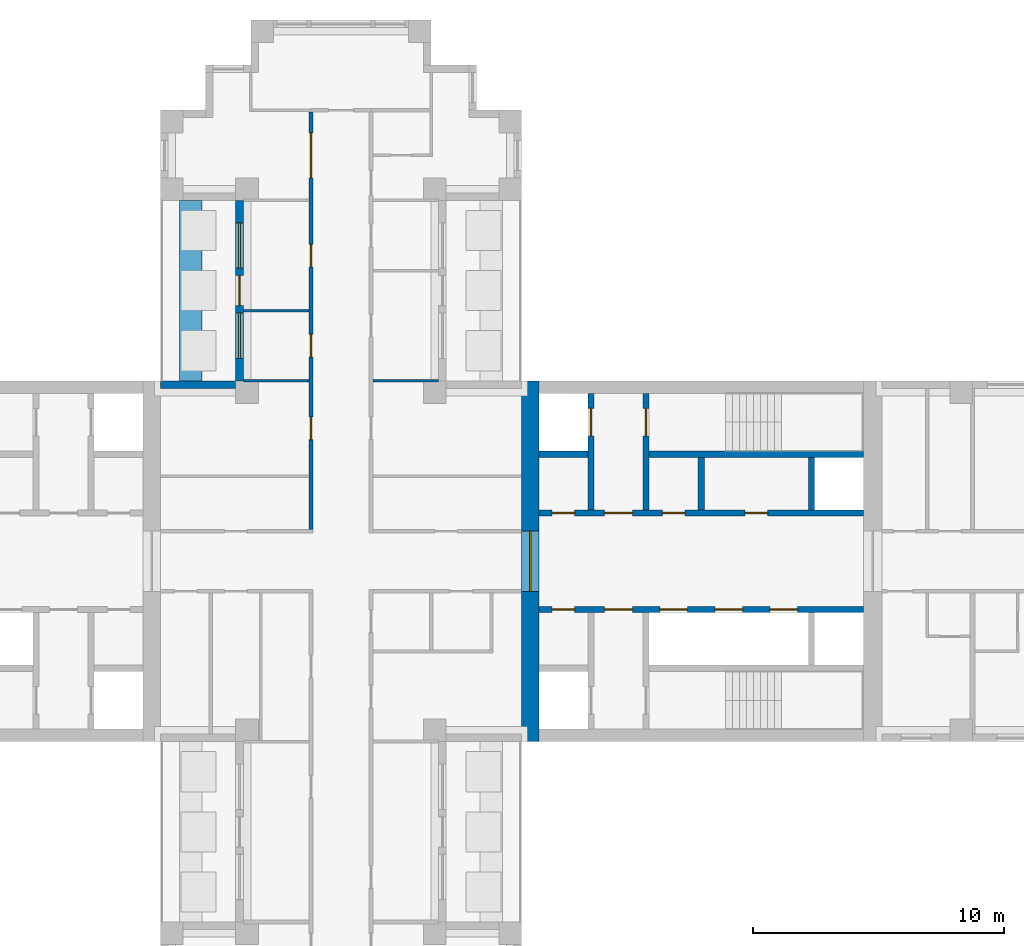
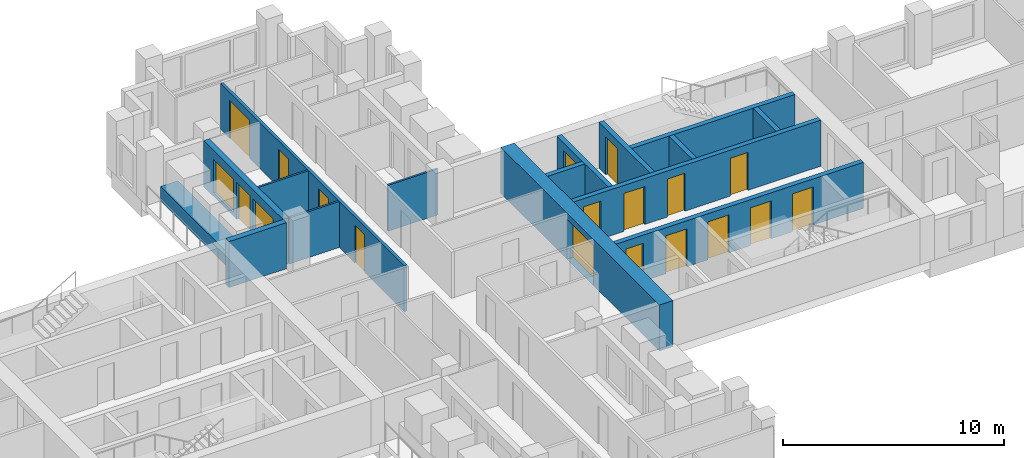
# One storey, part 8 of 13: 17 doors, 16 walls, 2 windows, 19 openings.
"""IFC4 building model written with IfcOpenShell, lengths in metres."""

from ifc_helpers import new_model, si_unit, direction, frame, frame_2d, origin, place, context, subcontext, project, spatial, rectangle, extrude, material, layer, layer_set, type_object, element, fill, save


model = new_model("IFC4")

# Units and contexts
model_context = context("Model", 3, precision=1e-05, world=origin(), true_north=direction((0.0, 1.0)))
body_context = subcontext(model_context, "Body", "Model", "MODEL_VIEW")
ifc_project = project(units=[si_unit("LENGTHUNIT", "METRE"), si_unit("AREAUNIT", "SQUARE_METRE"), si_unit("VOLUMEUNIT", "CUBIC_METRE"), si_unit("PLANEANGLEUNIT", "RADIAN"), si_unit("MASSUNIT", "GRAM", prefix="KILO")], contexts=[model_context])

# Site, building, storey
site_placement = place(None, origin())
site = spatial("IfcSite", under=ifc_project, at=site_placement, CompositionType="ELEMENT")
building_placement = place(site_placement, origin())
building = spatial("IfcBuilding", under=site, at=building_placement, Name="Fustian Cross Tower", CompositionType="ELEMENT")
storey_placement = place(building_placement, frame((0.0, 0.0, 108.89990234375)))
storey = spatial("IfcBuildingStorey", under=building, at=storey_placement, Name="L34", CompositionType="ELEMENT", Elevation=108.89990234375)

# Wall, openings, doors
ifc_material_1 = material(Name="Plasterboard on steel stud", Category="steel")
ifc_layer_1 = layer(ifc_material_1, 0.14990234375)
ifc_layer_set_1 = layer_set([ifc_layer_1], Name="Plasterboard on steel stud")
wall_type_1 = type_object("IfcWallType", Name="COMPARTMENT WALL 150 EI 60", PredefinedType="PARTITIONING", material=ifc_layer_set_1)
wall_1_placement = place(storey_placement, frame((-1.199951171875, 1.27490234375, 0.0), z_axis=(0.0, 0.0, 1.0), x_axis=(0.0, 1.0, 0.0)))
wall_1 = element("IfcWall", 1, at=wall_1_placement, inside=storey, type_object=wall_type_1, Name="Partition 41", PredefinedType="PARTITIONING", context=body_context, shape_type="SweptSolid", body=[
    extrude(rectangle(XDim=16.650146484375, YDim=0.14990234375, at=frame_2d((8.3251953125, 0.0))), origin(), (0.0, 0.0, 1.0), 2.550048828125),
])
opening_1_placement = place(wall_1_placement, frame((3.574951171875, 0.0, 0.0)))
opening_1 = element("IfcOpeningElement", 2, at=opening_1_placement, cuts=wall_1, Name="Opening D15004", PredefinedType="OPENING", context=body_context, shape_type="SweptSolid", body=[
    extrude(rectangle(XDim=0.89990234375, YDim=2.10009765625, at=frame_2d((0.449951171875, 1.050048828125))), frame((0.0, 0.0849609375, 0.0), z_axis=(0.0, -1.0, 0.0), x_axis=(1.0, 0.0, 0.0)), (0.0, 0.0, 1.0), 0.169921875),
])
opening_2_placement = place(wall_1_placement, frame((6.875, 0.0, 0.0)))
opening_2 = element("IfcOpeningElement", 3, at=opening_2_placement, cuts=wall_1, Name="Opening D15021", PredefinedType="OPENING", context=body_context, shape_type="SweptSolid", body=[
    extrude(rectangle(XDim=0.89990234375, YDim=2.10009765625, at=frame_2d((0.449951171875, 1.050048828125))), frame((0.0, 0.0849609375, 0.0), z_axis=(0.0, -1.0, 0.0), x_axis=(1.0, 0.0, 0.0)), (0.0, 0.0, 1.0), 0.169921875),
])
opening_3_placement = place(wall_1_placement, frame((10.47509765625, 0.0, 0.0)))
opening_3 = element("IfcOpeningElement", 4, at=opening_3_placement, cuts=wall_1, Name="Opening D15022", PredefinedType="OPENING", context=body_context, shape_type="SweptSolid", body=[
    extrude(rectangle(XDim=0.89990234375, YDim=2.10009765625, at=frame_2d((0.449951171875, 1.050048828125))), frame((0.0, 0.0849609375, 0.0), z_axis=(0.0, -1.0, 0.0), x_axis=(1.0, 0.0, 0.0)), (0.0, 0.0, 1.0), 0.169921875),
])
opening_4_placement = place(wall_1_placement, frame((14.02490234375, 0.0, 0.0)))
opening_4 = element("IfcOpeningElement", 5, at=opening_4_placement, cuts=wall_1, Name="Opening D15023", PredefinedType="OPENING", context=body_context, shape_type="SweptSolid", body=[
    extrude(rectangle(XDim=1.800048828125, YDim=2.10009765625, at=frame_2d((0.89990234375, 1.050048828125))), frame((0.0, 0.0849609375, 0.0), z_axis=(0.0, -1.0, 0.0), x_axis=(1.0, 0.0, 0.0)), (0.0, 0.0, 1.0), 0.169921875),
])
ifc_material_2 = material(Name="Timber fire door set", Category="wood")
door_type_1 = type_object("IfcDoorType", Name="FIRE DOUBLE DOOR 1800 FD30S", OperationType="DOUBLE_DOOR_DOUBLE_SWING", PredefinedType="DOOR", material=ifc_material_2)
door_1_placement = place(opening_4_placement, frame((1.800048828125, 0.0, 0.0), z_axis=(0.0, 0.0, 1.0), x_axis=(-1.0, 0.0, 0.0)))
door_1 = element("IfcDoor", 6, at=door_1_placement, inside=storey, type_object=door_type_1, Name="Door D15023", OperationType="DOUBLE_DOOR_DOUBLE_SWING", OverallHeight=2.10009765625, OverallWidth=1.800048828125, PredefinedType="DOOR", context=body_context, shape_type="SweptSolid", body=[
    extrude(rectangle(XDim=1.800048828125, YDim=2.10009765625, at=frame_2d((0.89990234375, 1.050048828125))), frame((0.0, 0.02490234375, 0.0), z_axis=(0.0, -1.0, 0.0), x_axis=(1.0, 0.0, 0.0)), (0.0, 0.0, 1.0), 0.050048828125),
])
fill(opening_4, door_1)
ifc_material_3 = material(Name="Timber fire door set", Category="wood")
door_type_2 = type_object("IfcDoorType", Name="FIRE SWING DOOR 900 FD30S", OperationType="SINGLE_SWING_LEFT", PredefinedType="DOOR", material=ifc_material_3)
door_2_placement = place(opening_1_placement, origin())
door_2 = element("IfcDoor", 7, at=door_2_placement, inside=storey, type_object=door_type_2, Name="Door D15004", OperationType="SINGLE_SWING_RIGHT", OverallHeight=2.10009765625, OverallWidth=0.89990234375, PredefinedType="DOOR", context=body_context, shape_type="SweptSolid", body=[
    extrude(rectangle(XDim=0.89990234375, YDim=2.10009765625, at=frame_2d((0.449951171875, 1.050048828125))), frame((0.0, 0.02490234375, 0.0), z_axis=(0.0, -1.0, 0.0), x_axis=(1.0, 0.0, 0.0)), (0.0, 0.0, 1.0), 0.050048828125),
])
fill(opening_1, door_2)
door_3_placement = place(opening_2_placement, origin())
door_3 = element("IfcDoor", 8, at=door_3_placement, inside=storey, type_object=door_type_2, Name="Door D15021", OperationType="SINGLE_SWING_LEFT", OverallHeight=2.10009765625, OverallWidth=0.89990234375, PredefinedType="DOOR", context=body_context, shape_type="SweptSolid", body=[
    extrude(rectangle(XDim=0.89990234375, YDim=2.10009765625, at=frame_2d((0.449951171875, 1.050048828125))), frame((0.0, 0.02490234375, 0.0), z_axis=(0.0, -1.0, 0.0), x_axis=(1.0, 0.0, 0.0)), (0.0, 0.0, 1.0), 0.050048828125),
])
fill(opening_2, door_3)
door_4_placement = place(opening_3_placement, origin())
door_4 = element("IfcDoor", 9, at=door_4_placement, inside=storey, type_object=door_type_2, Name="Door D15022", OperationType="SINGLE_SWING_LEFT", OverallHeight=2.10009765625, OverallWidth=0.89990234375, PredefinedType="DOOR", context=body_context, shape_type="SweptSolid", body=[
    extrude(rectangle(XDim=0.89990234375, YDim=2.10009765625, at=frame_2d((0.449951171875, 1.050048828125))), frame((0.0, 0.02490234375, 0.0), z_axis=(0.0, -1.0, 0.0), x_axis=(1.0, 0.0, 0.0)), (0.0, 0.0, 1.0), 0.050048828125),
])
fill(opening_3, door_4)

# Wall, opening, door
ifc_material_4 = material(Name="Concrete C70/85", Category="concrete")
ifc_layer_2 = layer(ifc_material_4, 0.699951171875)
ifc_layer_set_2 = layer_set([ifc_layer_2], Name="Concrete C70/85")
wall_type_2 = type_object("IfcWallType", Name="CORE END WALL 700 C70/85", PredefinedType="SHEAR", material=ifc_layer_set_2)
wall_2_placement = place(storey_placement, frame((7.550048828125, -7.199951171875, 0.0), z_axis=(0.0, 0.0, 1.0), x_axis=(0.0, 1.0, 0.0)))
wall_2 = element("IfcWall", 10, at=wall_2_placement, inside=storey, type_object=wall_type_2, Name="Core end wall", PredefinedType="SHEAR", context=body_context, shape_type="SweptSolid", body=[
    extrude(rectangle(XDim=14.39990234375, YDim=0.699951171875, at=frame_2d((7.199951171875, 0.0))), origin(), (0.0, 0.0, 1.0), 2.550048828125),
])
opening_5_placement = place(wall_2_placement, frame((6.0, 0.0, 0.0)))
opening_5 = element("IfcOpeningElement", 11, at=opening_5_placement, cuts=wall_2, Name="Opening CD-12-12", PredefinedType="OPENING", context=body_context, shape_type="SweptSolid", body=[
    extrude(rectangle(XDim=2.39990234375, YDim=2.199951171875, at=frame_2d((1.199951171875, 1.10009765625))), frame((0.0, 0.35986328125, 0.0), z_axis=(0.0, -1.0, 0.0), x_axis=(1.0, 0.0, 0.0)), (0.0, 0.0, 1.0), 0.719970703125),
])
ifc_material_5 = material(Name="Steel", Category="steel")
door_type_3 = type_object("IfcDoorType", Name="FIRE DOOR FD30S DOUBLE 2400X2200", OperationType="DOUBLE_DOOR_DOUBLE_SWING", PredefinedType="DOOR", material=ifc_material_5)
door_5_placement = place(opening_5_placement, frame((2.39990234375, 0.0, 0.0), z_axis=(0.0, 0.0, 1.0), x_axis=(-1.0, 0.0, 0.0)))
door_5 = element("IfcDoor", 12, at=door_5_placement, inside=storey, type_object=door_type_3, Name="Core door CD-12-12", OperationType="DOUBLE_DOOR_DOUBLE_SWING", OverallHeight=2.199951171875, OverallWidth=2.39990234375, PredefinedType="DOOR", context=body_context, shape_type="SweptSolid", body=[
    extrude(rectangle(XDim=2.39990234375, YDim=2.199951171875, at=frame_2d((1.199951171875, 1.10009765625))), frame((0.0, 0.02490234375, 0.0), z_axis=(0.0, -1.0, 0.0), x_axis=(1.0, 0.0, 0.0)), (0.0, 0.0, 1.0), 0.050048828125),
])
fill(opening_5, door_5)

# Wall, openings, doors
ifc_material_6 = material(Name="Concrete C50/60", Category="concrete")
ifc_layer_3 = layer(ifc_material_6, 0.25)
ifc_layer_set_3 = layer_set([ifc_layer_3], Name="Concrete C50/60")
wall_type_3 = type_object("IfcWallType", Name="CORE LOBBY WALL 250 C50/60", PredefinedType="SHEAR", material=ifc_layer_set_3)
wall_3_placement = place(storey_placement, frame((7.89990234375, 1.925048828125, 0.0), z_axis=(0.0, 0.0, 1.0), x_axis=(1.0, 0.0, 0.0)))
wall_3 = element("IfcWall", 13, at=wall_3_placement, inside=storey, type_object=wall_type_3, Name="Core lobby wall", PredefinedType="SHEAR", context=body_context, shape_type="SweptSolid", body=[
    extrude(rectangle(XDim=12.9501953125, YDim=0.25, at=frame_2d((6.47509765625, 0.0))), origin(), (0.0, 0.0, 1.0), 2.550048828125),
])
opening_6_placement = place(wall_3_placement, frame((0.52490234375, 0.0, 0.0)))
opening_6 = element("IfcOpeningElement", 14, at=opening_6_placement, cuts=wall_3, Name="Opening CD-12-08", PredefinedType="OPENING", context=body_context, shape_type="SweptSolid", body=[
    extrude(rectangle(XDim=0.89990234375, YDim=2.10009765625, at=frame_2d((0.449951171875, 1.050048828125))), frame((0.0, 0.135009765625, 0.0), z_axis=(0.0, -1.0, 0.0), x_axis=(1.0, 0.0, 0.0)), (0.0, 0.0, 1.0), 0.27001953125),
])
opening_7_placement = place(wall_3_placement, frame((2.625, 0.0, 0.0)))
opening_7 = element("IfcOpeningElement", 15, at=opening_7_placement, cuts=wall_3, Name="Opening CD-12-10", PredefinedType="OPENING", context=body_context, shape_type="SweptSolid", body=[
    extrude(rectangle(XDim=1.10009765625, YDim=2.10009765625, at=frame_2d((0.550048828125, 1.050048828125))), frame((0.0, 0.135009765625, 0.0), z_axis=(0.0, -1.0, 0.0), x_axis=(1.0, 0.0, 0.0)), (0.0, 0.0, 1.0), 0.27001953125),
])
opening_8_placement = place(wall_3_placement, frame((4.925048828125, 0.0, 0.0)))
opening_8 = element("IfcOpeningElement", 16, at=opening_8_placement, cuts=wall_3, Name="Opening CD-12-14", PredefinedType="OPENING", context=body_context, shape_type="SweptSolid", body=[
    extrude(rectangle(XDim=0.89990234375, YDim=2.10009765625, at=frame_2d((0.449951171875, 1.050048828125))), frame((0.0, 0.135009765625, 0.0), z_axis=(0.0, -1.0, 0.0), x_axis=(1.0, 0.0, 0.0)), (0.0, 0.0, 1.0), 0.27001953125),
])
opening_9_placement = place(wall_3_placement, frame((8.22509765625, 0.0, 0.0)))
opening_9 = element("IfcOpeningElement", 17, at=opening_9_placement, cuts=wall_3, Name="Opening CD-12-15", PredefinedType="OPENING", context=body_context, shape_type="SweptSolid", body=[
    extrude(rectangle(XDim=0.89990234375, YDim=2.10009765625, at=frame_2d((0.449951171875, 1.050048828125))), frame((0.0, 0.135009765625, 0.0), z_axis=(0.0, -1.0, 0.0), x_axis=(1.0, 0.0, 0.0)), (0.0, 0.0, 1.0), 0.27001953125),
])
ifc_material_7 = material(Name="Steel", Category="steel")
door_type_4 = type_object("IfcDoorType", Name="FIRE DOOR FD30S 900X2100", OperationType="SINGLE_SWING_LEFT", PredefinedType="DOOR", material=ifc_material_7)
door_6_placement = place(opening_8_placement, origin())
door_6 = element("IfcDoor", 18, at=door_6_placement, inside=storey, type_object=door_type_4, Name="Core door CD-12-14", OperationType="SINGLE_SWING_LEFT", OverallHeight=2.10009765625, OverallWidth=0.89990234375, PredefinedType="DOOR", context=body_context, shape_type="SweptSolid", body=[
    extrude(rectangle(XDim=0.89990234375, YDim=2.10009765625, at=frame_2d((0.449951171875, 1.050048828125))), frame((0.0, 0.02490234375, 0.0), z_axis=(0.0, -1.0, 0.0), x_axis=(1.0, 0.0, 0.0)), (0.0, 0.0, 1.0), 0.050048828125),
])
fill(opening_8, door_6)
door_7_placement = place(opening_9_placement, origin())
door_7 = element("IfcDoor", 19, at=door_7_placement, inside=storey, type_object=door_type_4, Name="Core door CD-12-15", OperationType="SINGLE_SWING_RIGHT", OverallHeight=2.10009765625, OverallWidth=0.89990234375, PredefinedType="DOOR", context=body_context, shape_type="SweptSolid", body=[
    extrude(rectangle(XDim=0.89990234375, YDim=2.10009765625, at=frame_2d((0.449951171875, 1.050048828125))), frame((0.0, 0.02490234375, 0.0), z_axis=(0.0, -1.0, 0.0), x_axis=(1.0, 0.0, 0.0)), (0.0, 0.0, 1.0), 0.050048828125),
])
fill(opening_9, door_7)
ifc_material_8 = material(Name="Steel", Category="steel")
door_type_5 = type_object("IfcDoorType", Name="FIRE DOOR FD60S 1100X2100", OperationType="SINGLE_SWING_LEFT", PredefinedType="DOOR", material=ifc_material_8)
door_8_placement = place(opening_7_placement, frame((1.10009765625, 0.0, 0.0), z_axis=(0.0, 0.0, 1.0), x_axis=(-1.0, 0.0, 0.0)))
door_8 = element("IfcDoor", 20, at=door_8_placement, inside=storey, type_object=door_type_5, Name="Core door CD-12-10", OperationType="SINGLE_SWING_RIGHT", OverallHeight=2.10009765625, OverallWidth=1.10009765625, PredefinedType="DOOR", context=body_context, shape_type="SweptSolid", body=[
    extrude(rectangle(XDim=1.10009765625, YDim=2.10009765625, at=frame_2d((0.550048828125, 1.050048828125))), frame((0.0, 0.02490234375, 0.0), z_axis=(0.0, -1.0, 0.0), x_axis=(1.0, 0.0, 0.0)), (0.0, 0.0, 1.0), 0.050048828125),
])
fill(opening_7, door_8)
ifc_material_9 = material(Name="Steel", Category="steel")
door_type_6 = type_object("IfcDoorType", Name="FIRE DOOR FD60S 900X2100", OperationType="SINGLE_SWING_LEFT", PredefinedType="DOOR", material=ifc_material_9)
door_9_placement = place(opening_6_placement, origin())
door_9 = element("IfcDoor", 21, at=door_9_placement, inside=storey, type_object=door_type_6, Name="Core door CD-12-08", OperationType="SINGLE_SWING_LEFT", OverallHeight=2.10009765625, OverallWidth=0.89990234375, PredefinedType="DOOR", context=body_context, shape_type="SweptSolid", body=[
    extrude(rectangle(XDim=0.89990234375, YDim=2.10009765625, at=frame_2d((0.449951171875, 1.050048828125))), frame((0.0, 0.02490234375, 0.0), z_axis=(0.0, -1.0, 0.0), x_axis=(1.0, 0.0, 0.0)), (0.0, 0.0, 1.0), 0.050048828125),
])
fill(opening_6, door_9)

wall_4_placement = place(storey_placement, frame((7.89990234375, -1.925048828125, 0.0), z_axis=(0.0, 0.0, 1.0), x_axis=(1.0, 0.0, 0.0)))
wall_4 = element("IfcWall", 22, at=wall_4_placement, inside=storey, type_object=wall_type_3, Name="Core lobby wall", PredefinedType="SHEAR", context=body_context, shape_type="SweptSolid", body=[
    extrude(rectangle(XDim=12.9501953125, YDim=0.25, at=frame_2d((6.47509765625, 0.0))), origin(), (0.0, 0.0, 1.0), 2.550048828125),
])
opening_10_placement = place(wall_4_placement, frame((4.824951171875, 0.0, 0.0)))
opening_10 = element("IfcOpeningElement", 23, at=opening_10_placement, cuts=wall_4, Name="Opening LD", PredefinedType="OPENING", context=body_context, shape_type="SweptSolid", body=[
    extrude(rectangle(XDim=1.10009765625, YDim=2.10009765625, at=frame_2d((0.550048828125, 1.050048828125))), frame((0.0, 0.135009765625, 0.0), z_axis=(0.0, -1.0, 0.0), x_axis=(1.0, 0.0, 0.0)), (0.0, 0.0, 1.0), 0.27001953125),
])
opening_11_placement = place(wall_4_placement, frame((7.02490234375, 0.0, 0.0)))
opening_11 = element("IfcOpeningElement", 24, at=opening_11_placement, cuts=wall_4, Name="Opening LD", PredefinedType="OPENING", context=body_context, shape_type="SweptSolid", body=[
    extrude(rectangle(XDim=1.10009765625, YDim=2.10009765625, at=frame_2d((0.550048828125, 1.050048828125))), frame((0.0, 0.135009765625, 0.0), z_axis=(0.0, -1.0, 0.0), x_axis=(1.0, 0.0, 0.0)), (0.0, 0.0, 1.0), 0.27001953125),
])
opening_12_placement = place(wall_4_placement, frame((9.22509765625, 0.0, 0.0)))
opening_12 = element("IfcOpeningElement", 25, at=opening_12_placement, cuts=wall_4, Name="Opening LD", PredefinedType="OPENING", context=body_context, shape_type="SweptSolid", body=[
    extrude(rectangle(XDim=1.10009765625, YDim=2.10009765625, at=frame_2d((0.550048828125, 1.050048828125))), frame((0.0, 0.135009765625, 0.0), z_axis=(0.0, -1.0, 0.0), x_axis=(1.0, 0.0, 0.0)), (0.0, 0.0, 1.0), 0.27001953125),
])
opening_13_placement = place(wall_4_placement, frame((0.52490234375, 0.0, 0.0)))
opening_13 = element("IfcOpeningElement", 26, at=opening_13_placement, cuts=wall_4, Name="Opening CD-12-09", PredefinedType="OPENING", context=body_context, shape_type="SweptSolid", body=[
    extrude(rectangle(XDim=0.89990234375, YDim=2.10009765625, at=frame_2d((0.449951171875, 1.050048828125))), frame((0.0, 0.135009765625, 0.0), z_axis=(0.0, -1.0, 0.0), x_axis=(1.0, 0.0, 0.0)), (0.0, 0.0, 1.0), 0.27001953125),
])
opening_14_placement = place(wall_4_placement, frame((2.625, 0.0, 0.0)))
opening_14 = element("IfcOpeningElement", 27, at=opening_14_placement, cuts=wall_4, Name="Opening CD-12-11", PredefinedType="OPENING", context=body_context, shape_type="SweptSolid", body=[
    extrude(rectangle(XDim=1.10009765625, YDim=2.10009765625, at=frame_2d((0.550048828125, 1.050048828125))), frame((0.0, 0.135009765625, 0.0), z_axis=(0.0, -1.0, 0.0), x_axis=(1.0, 0.0, 0.0)), (0.0, 0.0, 1.0), 0.27001953125),
])
ifc_material_10 = material(Name="Steel", Category="steel")
door_type_7 = type_object("IfcDoorType", Name="FIRE DOOR FD30S 1100X2100", OperationType="SINGLE_SWING_LEFT", PredefinedType="DOOR", material=ifc_material_10)
door_10_placement = place(opening_14_placement, frame((1.10009765625, 0.0, 0.0), z_axis=(0.0, 0.0, 1.0), x_axis=(-1.0, 0.0, 0.0)))
door_10 = element("IfcDoor", 28, at=door_10_placement, inside=storey, type_object=door_type_7, Name="Core door CD-12-11", OperationType="SINGLE_SWING_RIGHT", OverallHeight=2.10009765625, OverallWidth=1.10009765625, PredefinedType="DOOR", context=body_context, shape_type="SweptSolid", body=[
    extrude(rectangle(XDim=1.10009765625, YDim=2.10009765625, at=frame_2d((0.550048828125, 1.050048828125))), frame((0.0, 0.02490234375, 0.0), z_axis=(0.0, -1.0, 0.0), x_axis=(1.0, 0.0, 0.0)), (0.0, 0.0, 1.0), 0.050048828125),
])
fill(opening_14, door_10)
door_11_placement = place(opening_13_placement, frame((0.89990234375, 0.0, 0.0), z_axis=(0.0, 0.0, 1.0), x_axis=(-1.0, 0.0, 0.0)))
door_11 = element("IfcDoor", 29, at=door_11_placement, inside=storey, type_object=door_type_4, Name="Core door CD-12-09", OperationType="SINGLE_SWING_RIGHT", OverallHeight=2.10009765625, OverallWidth=0.89990234375, PredefinedType="DOOR", context=body_context, shape_type="SweptSolid", body=[
    extrude(rectangle(XDim=0.89990234375, YDim=2.10009765625, at=frame_2d((0.449951171875, 1.050048828125))), frame((0.0, 0.02490234375, 0.0), z_axis=(0.0, -1.0, 0.0), x_axis=(1.0, 0.0, 0.0)), (0.0, 0.0, 1.0), 0.050048828125),
])
fill(opening_13, door_11)
ifc_material_11 = material(Name="Stainless steel", Category="steel")
door_type_8 = type_object("IfcDoorType", Name="LIFT LANDING DOOR 1100X2100", OperationType="SLIDING_TO_LEFT", PredefinedType="DOOR", material=ifc_material_11)
door_12_placement = place(opening_10_placement, origin())
door_12 = element("IfcDoor", 30, at=door_12_placement, inside=storey, type_object=door_type_8, Name="Landing door LR1", OperationType="SLIDING_TO_LEFT", OverallHeight=2.10009765625, OverallWidth=1.10009765625, PredefinedType="DOOR", context=body_context, shape_type="SweptSolid", body=[
    extrude(rectangle(XDim=1.10009765625, YDim=2.10009765625, at=frame_2d((0.550048828125, 1.050048828125))), frame((0.0, 0.02490234375, 0.0), z_axis=(0.0, -1.0, 0.0), x_axis=(1.0, 0.0, 0.0)), (0.0, 0.0, 1.0), 0.050048828125),
])
fill(opening_10, door_12)
door_13_placement = place(opening_11_placement, origin())
door_13 = element("IfcDoor", 31, at=door_13_placement, inside=storey, type_object=door_type_8, Name="Landing door LR2", OperationType="SLIDING_TO_LEFT", OverallHeight=2.10009765625, OverallWidth=1.10009765625, PredefinedType="DOOR", context=body_context, shape_type="SweptSolid", body=[
    extrude(rectangle(XDim=1.10009765625, YDim=2.10009765625, at=frame_2d((0.550048828125, 1.050048828125))), frame((0.0, 0.02490234375, 0.0), z_axis=(0.0, -1.0, 0.0), x_axis=(1.0, 0.0, 0.0)), (0.0, 0.0, 1.0), 0.050048828125),
])
fill(opening_11, door_13)
door_14_placement = place(opening_12_placement, origin())
door_14 = element("IfcDoor", 32, at=door_14_placement, inside=storey, type_object=door_type_8, Name="Landing door LR3", OperationType="SLIDING_TO_LEFT", OverallHeight=2.10009765625, OverallWidth=1.10009765625, PredefinedType="DOOR", context=body_context, shape_type="SweptSolid", body=[
    extrude(rectangle(XDim=1.10009765625, YDim=2.10009765625, at=frame_2d((0.550048828125, 1.050048828125))), frame((0.0, 0.02490234375, 0.0), z_axis=(0.0, -1.0, 0.0), x_axis=(1.0, 0.0, 0.0)), (0.0, 0.0, 1.0), 0.050048828125),
])
fill(opening_12, door_14)

# Walls
ifc_material_12 = material(Name="Concrete C50/60", Category="concrete")
ifc_layer_4 = layer(ifc_material_12, 0.25)
ifc_layer_set_4 = layer_set([ifc_layer_4], Name="Concrete C50/60")
wall_type_4 = type_object("IfcWallType", Name="CORE SHAFT WALL 250 C50/60", PredefinedType="SHEAR", material=ifc_layer_set_4)
wall_5_placement = place(storey_placement, frame((7.89990234375, 4.27490234375, 0.0), z_axis=(0.0, 0.0, 1.0), x_axis=(1.0, 0.0, 0.0)))
element("IfcWall", 33, at=wall_5_placement, inside=storey, type_object=wall_type_4, Name="Core shaft wall", PredefinedType="SHEAR", context=body_context, shape_type="SweptSolid", body=[
    extrude(rectangle(XDim=1.9501953125, YDim=0.25, at=frame_2d((0.97509765625, 0.0))), origin(), (0.0, 0.0, 1.0), 2.550048828125),
])
wall_6_placement = place(storey_placement, frame((12.300048828125, 4.27490234375, 0.0), z_axis=(0.0, 0.0, 1.0), x_axis=(1.0, 0.0, 0.0)))
element("IfcWall", 34, at=wall_6_placement, inside=storey, type_object=wall_type_4, Name="Core shaft wall", PredefinedType="SHEAR", context=body_context, shape_type="SweptSolid", body=[
    extrude(rectangle(XDim=8.550048828125, YDim=0.25, at=frame_2d((4.27490234375, 0.0))), origin(), (0.0, 0.0, 1.0), 2.550048828125),
])

# Wall, opening, door
wall_7_placement = place(storey_placement, frame((9.97509765625, 2.050048828125, 0.0), z_axis=(0.0, 0.0, 1.0), x_axis=(0.0, 1.0, 0.0)))
wall_7 = element("IfcWall", 35, at=wall_7_placement, inside=storey, type_object=wall_type_4, Name="Core shaft wall", PredefinedType="SHEAR", context=body_context, shape_type="SweptSolid", body=[
    extrude(rectangle(XDim=4.64990234375, YDim=0.25, at=frame_2d((2.324951171875, 0.0))), origin(), (0.0, 0.0, 1.0), 2.550048828125),
])
opening_15_placement = place(wall_7_placement, frame((2.949951171875, 0.0, 0.0)))
opening_15 = element("IfcOpeningElement", 36, at=opening_15_placement, cuts=wall_7, Name="Opening LD", PredefinedType="OPENING", context=body_context, shape_type="SweptSolid", body=[
    extrude(rectangle(XDim=1.10009765625, YDim=2.10009765625, at=frame_2d((0.550048828125, 1.050048828125))), frame((0.0, 0.135009765625, 0.0), z_axis=(0.0, -1.0, 0.0), x_axis=(1.0, 0.0, 0.0)), (0.0, 0.0, 1.0), 0.27001953125),
])
door_15_placement = place(opening_15_placement, origin())
door_15 = element("IfcDoor", 37, at=door_15_placement, inside=storey, type_object=door_type_8, Name="Landing door FL1", OperationType="SLIDING_TO_LEFT", OverallHeight=2.10009765625, OverallWidth=1.10009765625, PredefinedType="DOOR", context=body_context, shape_type="SweptSolid", body=[
    extrude(rectangle(XDim=1.10009765625, YDim=2.10009765625, at=frame_2d((0.550048828125, 1.050048828125))), frame((0.0, 0.02490234375, 0.0), z_axis=(0.0, -1.0, 0.0), x_axis=(1.0, 0.0, 0.0)), (0.0, 0.0, 1.0), 0.050048828125),
])
fill(opening_15, door_15)

wall_8_placement = place(storey_placement, frame((12.175048828125, 2.050048828125, 0.0), z_axis=(0.0, 0.0, 1.0), x_axis=(0.0, 1.0, 0.0)))
wall_8 = element("IfcWall", 38, at=wall_8_placement, inside=storey, type_object=wall_type_4, Name="Core shaft wall", PredefinedType="SHEAR", context=body_context, shape_type="SweptSolid", body=[
    extrude(rectangle(XDim=4.64990234375, YDim=0.25, at=frame_2d((2.324951171875, 0.0))), origin(), (0.0, 0.0, 1.0), 2.550048828125),
])
opening_16_placement = place(wall_8_placement, frame((2.949951171875, 0.0, 0.0)))
opening_16 = element("IfcOpeningElement", 39, at=opening_16_placement, cuts=wall_8, Name="Opening CD-12-06", PredefinedType="OPENING", context=body_context, shape_type="SweptSolid", body=[
    extrude(rectangle(XDim=1.10009765625, YDim=2.10009765625, at=frame_2d((0.550048828125, 1.050048828125))), frame((0.0, 0.135009765625, 0.0), z_axis=(0.0, -1.0, 0.0), x_axis=(1.0, 0.0, 0.0)), (0.0, 0.0, 1.0), 0.27001953125),
])
door_16_placement = place(opening_16_placement, frame((1.10009765625, 0.0, 0.0), z_axis=(0.0, 0.0, 1.0), x_axis=(-1.0, 0.0, 0.0)))
door_16 = element("IfcDoor", 40, at=door_16_placement, inside=storey, type_object=door_type_5, Name="Core door CD-12-06", OperationType="SINGLE_SWING_RIGHT", OverallHeight=2.10009765625, OverallWidth=1.10009765625, PredefinedType="DOOR", context=body_context, shape_type="SweptSolid", body=[
    extrude(rectangle(XDim=1.10009765625, YDim=2.10009765625, at=frame_2d((0.550048828125, 1.050048828125))), frame((0.0, 0.02490234375, 0.0), z_axis=(0.0, -1.0, 0.0), x_axis=(1.0, 0.0, 0.0)), (0.0, 0.0, 1.0), 0.050048828125),
])
fill(opening_16, door_16)

# Walls
ifc_material_13 = material(Name="Plasterboard on steel stud", Category="steel")
ifc_layer_5 = layer(ifc_material_13, 0.10009765625)
ifc_layer_set_5 = layer_set([ifc_layer_5], Name="Plasterboard on steel stud")
wall_type_5 = type_object("IfcWallType", Name="PARTITION 100 STUD", PredefinedType="PARTITIONING", material=ifc_layer_set_5)
for number, where, z_axis, x_axis, name in (
    (41, (-3.89990234375, 7.199951171875, 0.0), (0.0, 0.0, 1.0), (1.0, 0.0, 0.0), "Partition 33"),
    (42, (-3.89990234375, 10.0, 0.0), (0.0, 0.0, 1.0), (1.0, 0.0, 0.0), "Partition 34"),
    (43, (1.27490234375, 7.199951171875, 0.0), (0.0, 0.0, 1.0), (1.0, 0.0, 0.0), "Partition 54"),
):
    element("IfcWall", number, at=place(storey_placement, frame(where, z_axis=z_axis, x_axis=x_axis)), inside=storey, type_object=wall_type_5, Name=name, PredefinedType="PARTITIONING", context=body_context, shape_type="SweptSolid", body=[
        extrude(rectangle(XDim=2.625, YDim=0.10009765625, at=frame_2d((1.3125, 0.0))), origin(), (0.0, 0.0, 1.0), 2.550048828125),
    ])
ifc_material_14 = material(Name="Concrete C40/50", Category="concrete")
ifc_layer_6 = layer(ifc_material_14, 0.89990234375)
ifc_layer_set_6 = layer_set([ifc_layer_6], Name="Concrete C40/50")
wall_type_6 = type_object("IfcWallType", Name="PK1 PLANTER 900", PredefinedType="PARAPET", material=ifc_layer_set_6)
wall_9_placement = place(storey_placement, frame((-6.0, 7.199951171875, 0.0), z_axis=(0.0, 0.0, 1.0), x_axis=(0.0, 1.0, 0.0)))
element("IfcWall", 44, at=wall_9_placement, inside=storey, type_object=wall_type_6, Name="PLANTER", PredefinedType="PARAPET", context=body_context, shape_type="SweptSolid", body=[
    extrude(rectangle(XDim=7.199951171875, YDim=0.89990234375, at=frame_2d((3.60009765625, 0.0))), origin(), (0.0, 0.0, 1.0), 0.800048828125),
])
ifc_material_15 = material(Name="Concrete C40/50", Category="concrete")
ifc_layer_7 = layer(ifc_material_15, 0.25)
ifc_layer_set_7 = layer_set([ifc_layer_7], Name="Concrete C40/50")
wall_type_7 = type_object("IfcWallType", Name="SHAFT PARTITION WALL 250 C40/50", PredefinedType="PARTITIONING", material=ifc_layer_set_7)
for number, where, z_axis, x_axis, name in (
    (45, (14.375, 2.050048828125, 0.0), (0.0, 0.0, 1.0), (0.0, 1.0, 0.0), "Core shaft wall"),
    (46, (18.77490234375, 2.050048828125, 0.0), (0.0, 0.0, 1.0), (0.0, 1.0, 0.0), "Core shaft wall"),
):
    element("IfcWall", number, at=place(storey_placement, frame(where, z_axis=z_axis, x_axis=x_axis)), inside=storey, type_object=wall_type_7, Name=name, PredefinedType="PARTITIONING", context=body_context, shape_type="SweptSolid", body=[
        extrude(rectangle(XDim=2.099853515625, YDim=0.25, at=frame_2d((1.0498046875, 0.0))), origin(), (0.0, 0.0, 1.0), 2.550048828125),
    ])

# Wall, openings, door, windows
ifc_material_16 = material(Name="Dark aluminium cladding on insulated backing wall", Category="aluminium")
ifc_layer_8 = layer(ifc_material_16, 0.300048828125)
ifc_layer_set_8 = layer_set([ifc_layer_8], Name="Dark aluminium cladding on insulated backing wall")
wall_type_8 = type_object("IfcWallType", Name="XW1 EXTERNAL WALL 300", PredefinedType="SOLIDWALL", material=ifc_layer_set_8)
wall_10_placement = place(storey_placement, frame((-4.050048828125, 14.39990234375, 0.0), z_axis=(0.0, 0.0, 1.0), x_axis=(0.0, -1.0, 0.0)))
wall_10 = element("IfcWall", 47, at=wall_10_placement, inside=storey, type_object=wall_type_8, Name="External wall", PredefinedType="SOLIDWALL", context=body_context, shape_type="SweptSolid", body=[
    extrude(rectangle(XDim=7.199951171875, YDim=0.300048828125, at=frame_2d((3.60009765625, 0.0))), origin(), (0.0, 0.0, 1.0), 2.550048828125),
])
opening_17_placement = place(wall_10_placement, frame((3.0, 0.0, 0.0)))
opening_17 = element("IfcOpeningElement", 48, at=opening_17_placement, cuts=wall_10, Name="Opening XD2", PredefinedType="OPENING", context=body_context, shape_type="SweptSolid", body=[
    extrude(rectangle(XDim=1.199951171875, YDim=2.050048828125, at=frame_2d((0.60009765625, 1.02490234375))), frame((0.0, 0.159912109375, 0.0), z_axis=(0.0, -1.0, 0.0), x_axis=(1.0, 0.0, 0.0)), (0.0, 0.0, 1.0), 0.320068359375),
])
opening_18_placement = place(wall_10_placement, frame((0.89990234375, 0.0, 0.199951171875)))
opening_18 = element("IfcOpeningElement", 49, at=opening_18_placement, cuts=wall_10, Name="Opening WN2", PredefinedType="OPENING", context=body_context, shape_type="SweptSolid", body=[
    extrude(rectangle(XDim=1.800048828125, YDim=1.85009765625, at=frame_2d((0.89990234375, 0.925048828125))), frame((0.0, 0.159912109375, 0.0), z_axis=(0.0, -1.0, 0.0), x_axis=(1.0, 0.0, 0.0)), (0.0, 0.0, 1.0), 0.320068359375),
])
opening_19_placement = place(wall_10_placement, frame((4.5, 0.0, 0.199951171875)))
opening_19 = element("IfcOpeningElement", 50, at=opening_19_placement, cuts=wall_10, Name="Opening WN2", PredefinedType="OPENING", context=body_context, shape_type="SweptSolid", body=[
    extrude(rectangle(XDim=1.800048828125, YDim=1.85009765625, at=frame_2d((0.89990234375, 0.925048828125))), frame((0.0, 0.159912109375, 0.0), z_axis=(0.0, -1.0, 0.0), x_axis=(1.0, 0.0, 0.0)), (0.0, 0.0, 1.0), 0.320068359375),
])
ifc_material_17 = material(Name="Dark anodised aluminium and double glazing", Category="aluminium")
door_type_9 = type_object("IfcDoorType", Name="ED1 BALCONY DOOR 1200X2050", OperationType="SINGLE_SWING_LEFT", PredefinedType="DOOR", material=ifc_material_17)
door_17_placement = place(opening_17_placement, origin())
door_17 = element("IfcDoor", 51, at=door_17_placement, inside=storey, type_object=door_type_9, Name="Balcony door", OperationType="SINGLE_SWING_LEFT", OverallHeight=2.050048828125, OverallWidth=1.199951171875, PredefinedType="DOOR", context=body_context, shape_type="SweptSolid", body=[
    extrude(rectangle(XDim=1.199951171875, YDim=2.050048828125, at=frame_2d((0.60009765625, 1.02490234375))), frame((0.0, 0.02490234375, 0.0), z_axis=(0.0, -1.0, 0.0), x_axis=(1.0, 0.0, 0.0)), (0.0, 0.0, 1.0), 0.050048828125),
])
fill(opening_17, door_17)
ifc_material_18 = material(Name="Dark anodised aluminium and double glazing", Category="aluminium")
window_type = type_object("IfcWindowType", Name="WN2 WINDOW 1800X1850", PartitioningType="SINGLE_PANEL", PredefinedType="WINDOW", material=ifc_material_18)
window_1_placement = place(opening_18_placement, origin())
window_1 = element("IfcWindow", 52, at=window_1_placement, inside=storey, type_object=window_type, Name="Window", OverallHeight=1.85009765625, OverallWidth=1.800048828125, PartitioningType="SINGLE_PANEL", PredefinedType="WINDOW", context=body_context, shape_type="SweptSolid", body=[
    extrude(rectangle(XDim=1.800048828125, YDim=1.85009765625, at=frame_2d((0.89990234375, 0.925048828125))), frame((0.0, 0.030029296875, 0.0), z_axis=(0.0, -1.0, 0.0), x_axis=(1.0, 0.0, 0.0)), (0.0, 0.0, 1.0), 0.06005859375),
])
fill(opening_18, window_1)
window_2_placement = place(opening_19_placement, origin())
window_2 = element("IfcWindow", 53, at=window_2_placement, inside=storey, type_object=window_type, Name="Window", OverallHeight=1.85009765625, OverallWidth=1.800048828125, PartitioningType="SINGLE_PANEL", PredefinedType="WINDOW", context=body_context, shape_type="SweptSolid", body=[
    extrude(rectangle(XDim=1.800048828125, YDim=1.85009765625, at=frame_2d((0.89990234375, 0.925048828125))), frame((0.0, 0.030029296875, 0.0), z_axis=(0.0, -1.0, 0.0), x_axis=(1.0, 0.0, 0.0)), (0.0, 0.0, 1.0), 0.06005859375),
])
fill(opening_19, window_2)

# Wall
wall_11_placement = place(storey_placement, frame((-4.199951171875, 7.050048828125, 0.0), z_axis=(0.0, 0.0, 1.0), x_axis=(-1.0, 0.0, 0.0)))
element("IfcWall", 54, at=wall_11_placement, inside=storey, type_object=wall_type_8, Name="External wall", PredefinedType="SOLIDWALL", context=body_context, shape_type="SweptSolid", body=[
    extrude(rectangle(XDim=3.0, YDim=0.300048828125, at=frame_2d((1.5, 0.0))), origin(), (0.0, 0.0, 1.0), 2.550048828125),
])

save(model, "model.ifc")
